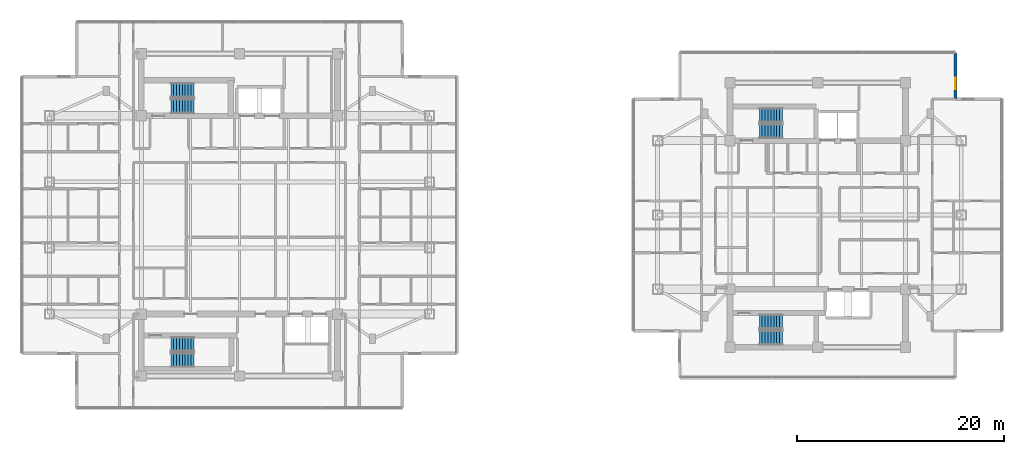
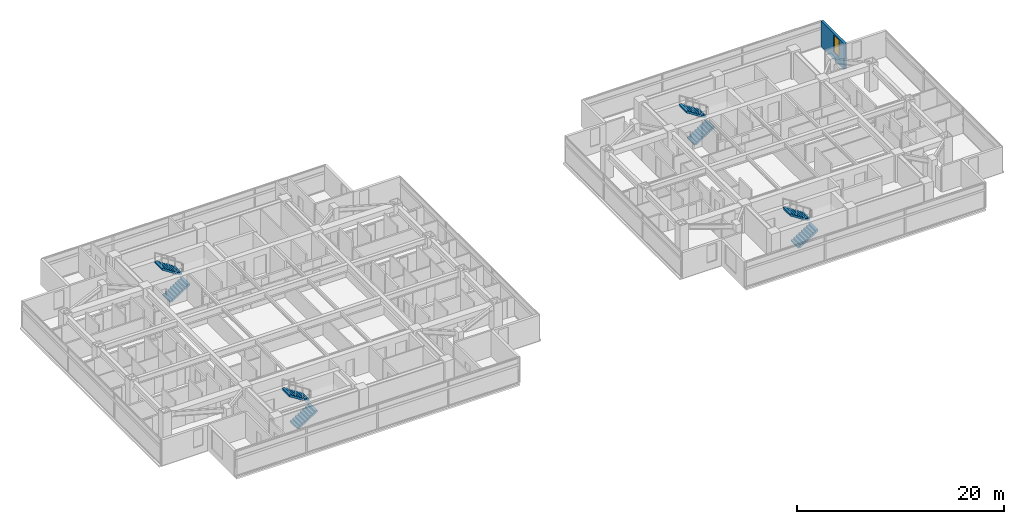
# One storey, part 20 of 26: 8 stair flights, 1 wall, 1 window, 1 opening, 4 elements without a shape of their own.
"""IFC4 building model written with IfcOpenShell, lengths in metres."""

from ifc_helpers import new_model, si_unit, direction, frame, frame_2d, origin, place, context, subcontext, project, spatial, polyline, rectangle, outline, extrude, material, layer, layer_set, type_object, element, fill, aggregate, save


model = new_model("IFC4")

# Units and contexts
model_context = context("Model", 3, precision=1e-05, world=origin(), true_north=direction((0.0, 1.0)))
body_context = subcontext(model_context, "Body", "Model", "MODEL_VIEW")
ifc_project = project(units=[si_unit("LENGTHUNIT", "METRE"), si_unit("AREAUNIT", "SQUARE_METRE"), si_unit("VOLUMEUNIT", "CUBIC_METRE"), si_unit("PLANEANGLEUNIT", "RADIAN"), si_unit("MASSUNIT", "GRAM", prefix="KILO")], contexts=[model_context])

# Site, building, storey
site_placement = place(None, origin())
site = spatial("IfcSite", under=ifc_project, at=site_placement, CompositionType="ELEMENT")
building_placement = place(site_placement, origin())
building = spatial("IfcBuilding", under=site, at=building_placement, Name="Mirazonda Arch Towers", CompositionType="ELEMENT")
storey_placement = place(building_placement, frame((0.0, 0.0, 170.64990234375)))
storey = spatial("IfcBuildingStorey", under=building, at=storey_placement, Name="L48", CompositionType="ELEMENT", Elevation=170.64990234375)

# Wall, opening, window
ifc_material_1 = material(Name="Precast Concrete C40/50", Category="concrete")
ifc_layer = layer(ifc_material_1, 0.280029296875, Name="WALL-EXT-WALL-280")
ifc_layer_set = layer_set([ifc_layer], Name="Precast Concrete C40/50")
wall_type = type_object("IfcWallType", Name="WALL-EXT-WALL-280", PredefinedType="SOLIDWALL", material=ifc_layer_set)
wall_placement = place(storey_placement, frame((89.857421875, 39.242919921875, 0.0), z_axis=(0.0, 0.0, 1.0), x_axis=(0.0, 1.0, 0.0)))
wall = element("IfcWall", 1, at=wall_placement, inside=storey, type_object=wall_type, Name="L48 T2 Notched NE Corner Wall WL-L48-T2-CNE", PredefinedType="SOLIDWALL", context=body_context, shape_type="SweptSolid", body=[
    extrude(rectangle(XDim=4.465087890625, YDim=0.280029296875, at=frame_2d((2.232421875, 0.0))), origin(), (0.0, 0.0, 1.0), 3.030029296875),
])
opening_placement = place(wall_placement, frame((0.949951171875, 0.0, 0.85009765625)))
opening = element("IfcOpeningElement", 2, at=opening_placement, cuts=wall, Name="Opening WN-108", PredefinedType="OPENING", context=body_context, shape_type="SweptSolid", body=[
    extrude(rectangle(XDim=1.10009765625, YDim=2.0, at=frame_2d((0.550048828125, 1.0))), frame((0.0, 0.14990234375, 0.0), z_axis=(0.0, -1.0, 0.0), x_axis=(1.0, 0.0, 0.0)), (0.0, 0.0, 1.0), 0.300048828125),
])
ifc_material_2 = material(Name="Insulated Low-E Solar Glass", Category="glass")
window_type = type_object("IfcWindowType", Name="WIN-NOTCH-1100x2000", PartitioningType="SINGLE_PANEL", PredefinedType="WINDOW", material=ifc_material_2)
window_placement = place(opening_placement, origin())
window = element("IfcWindow", 3, at=window_placement, inside=storey, type_object=window_type, Name="L48 Punched Facade Window WN-L48-T2-CNE", OverallHeight=2.0, OverallWidth=1.10009765625, PartitioningType="SINGLE_PANEL", PredefinedType="WINDOW", context=body_context, shape_type="SweptSolid", body=[
    extrude(rectangle(XDim=1.10009765625, YDim=2.0, at=frame_2d((0.550048828125, 1.0))), frame((0.0, 0.030029296875, 0.0), z_axis=(0.0, -1.0, 0.0), x_axis=(1.0, 0.0, 0.0)), (0.0, 0.0, 1.0), 0.06005859375),
])
fill(opening, window)

# Stair, stair flights
ifc_material_3 = material(Name="Concrete C40/50", Category="concrete")
stair_type = type_object("IfcStairType", Name="STAIR-CORE-1400", PredefinedType="HALF_TURN_STAIR", material=ifc_material_3)
stair_1_placement = place(storey_placement, origin())
stair_1 = element("IfcStair", 4, at=stair_1_placement, inside=storey, type_object=stair_type, Name="L48 Protected Exit Stair ST-T1N", PredefinedType="HALF_TURN_STAIR")
stair_flight_type = type_object("IfcStairFlightType", Name="FLIGHT-1400", PredefinedType="STRAIGHT", material=ifc_material_3)
stair_flight_1_placement = place(storey_placement, frame((13.85009765625, 38.52001953125, 0.0), z_axis=(0.0, 0.0, 1.0), x_axis=(1.0, 0.0, 0.0)))
stair_flight_1 = element("IfcStairFlight", 5, at=stair_flight_1_placement, type_object=stair_flight_type, Name="ST-T1N flight 1", NumberOfRisers=9, NumberOfTreads=8, PredefinedType="STRAIGHT", RiserHeight=0.180555556, TreadLength=0.28, context=body_context, shape_type="SweptSolid", body=[
    extrude(outline(polyline([(0.0, 0.0), (0.0, 0.1806640625), (0.280029296875, 0.1806640625), (0.280029296875, 0.361083984375), (0.56005859375, 0.361083984375), (0.56005859375, 0.541748046875), (0.840087890625, 0.541748046875), (0.840087890625, 0.72216796875), (1.1201171875, 0.72216796875), (1.1201171875, 0.90283203125), (1.39990234375, 0.90283203125), (1.39990234375, 1.083251953125), (1.679931640625, 1.083251953125), (1.679931640625, 1.263916015625), (1.9599609375, 1.263916015625), (1.9599609375, 1.4443359375), (2.239990234375, 1.4443359375), (2.239990234375, 1.625), (2.239990234375, 1.254150390625), (0.295166015625, 0.0), (0.0, 0.0)])), frame((0.0, 0.699951171875, 0.0), z_axis=(0.0, -1.0, 0.0), x_axis=(1.0, 0.0, 0.0)), (0.0, 0.0, 1.0), 1.39990234375),
])
stair_flight_2_placement = place(storey_placement, frame((16.090087890625, 40.06005859375, 1.625), z_axis=(0.0, 0.0, 1.0), x_axis=(-1.0, 0.0, 0.0)))
stair_flight_2 = element("IfcStairFlight", 6, at=stair_flight_2_placement, type_object=stair_flight_type, Name="ST-T1N flight 2", NumberOfRisers=9, NumberOfTreads=8, PredefinedType="STRAIGHT", RiserHeight=0.180555556, TreadLength=0.28, context=body_context, shape_type="SweptSolid", body=[
    extrude(outline(polyline([(0.0, 0.0), (0.0, 0.1806640625), (0.280029296875, 0.1806640625), (0.280029296875, 0.361083984375), (0.56005859375, 0.361083984375), (0.56005859375, 0.541748046875), (0.840087890625, 0.541748046875), (0.840087890625, 0.72216796875), (1.1201171875, 0.72216796875), (1.1201171875, 0.90283203125), (1.39990234375, 0.90283203125), (1.39990234375, 1.083251953125), (1.679931640625, 1.083251953125), (1.679931640625, 1.263916015625), (1.9599609375, 1.263916015625), (1.9599609375, 1.4443359375), (2.239990234375, 1.4443359375), (2.239990234375, 1.625), (2.239990234375, 1.254150390625), (0.295166015625, 0.0), (0.0, 0.0)])), frame((0.0, 0.699951171875, 0.0), z_axis=(0.0, -1.0, 0.0), x_axis=(1.0, 0.0, 0.0)), (0.0, 0.0, 1.0), 1.39990234375),
])
aggregate(stair_1, [stair_flight_1, stair_flight_2])

stair_2_placement = place(storey_placement, origin())
stair_2 = element("IfcStair", 7, at=stair_2_placement, inside=storey, type_object=stair_type, Name="L48 Protected Exit Stair ST-T1S", PredefinedType="HALF_TURN_STAIR")
stair_flight_3_placement = place(storey_placement, frame((13.85009765625, 13.949951171875, 0.0), z_axis=(0.0, 0.0, 1.0), x_axis=(1.0, 0.0, 0.0)))
stair_flight_3 = element("IfcStairFlight", 8, at=stair_flight_3_placement, type_object=stair_flight_type, Name="ST-T1S flight 1", NumberOfRisers=9, NumberOfTreads=8, PredefinedType="STRAIGHT", RiserHeight=0.180555556, TreadLength=0.28, context=body_context, shape_type="SweptSolid", body=[
    extrude(outline(polyline([(0.0, 0.0), (0.0, 0.1806640625), (0.280029296875, 0.1806640625), (0.280029296875, 0.361083984375), (0.56005859375, 0.361083984375), (0.56005859375, 0.541748046875), (0.840087890625, 0.541748046875), (0.840087890625, 0.72216796875), (1.1201171875, 0.72216796875), (1.1201171875, 0.90283203125), (1.39990234375, 0.90283203125), (1.39990234375, 1.083251953125), (1.679931640625, 1.083251953125), (1.679931640625, 1.263916015625), (1.9599609375, 1.263916015625), (1.9599609375, 1.4443359375), (2.239990234375, 1.4443359375), (2.239990234375, 1.625), (2.239990234375, 1.254150390625), (0.295166015625, 0.0), (0.0, 0.0)])), frame((0.0, 0.699951171875, 0.0), z_axis=(0.0, -1.0, 0.0), x_axis=(1.0, 0.0, 0.0)), (0.0, 0.0, 1.0), 1.39990234375),
])
stair_flight_4_placement = place(storey_placement, frame((16.090087890625, 15.489990234375, 1.625), z_axis=(0.0, 0.0, 1.0), x_axis=(-1.0, 0.0, 0.0)))
stair_flight_4 = element("IfcStairFlight", 9, at=stair_flight_4_placement, type_object=stair_flight_type, Name="ST-T1S flight 2", NumberOfRisers=9, NumberOfTreads=8, PredefinedType="STRAIGHT", RiserHeight=0.180555556, TreadLength=0.28, context=body_context, shape_type="SweptSolid", body=[
    extrude(outline(polyline([(0.0, 0.0), (0.0, 0.1806640625), (0.280029296875, 0.1806640625), (0.280029296875, 0.361083984375), (0.56005859375, 0.361083984375), (0.56005859375, 0.541748046875), (0.840087890625, 0.541748046875), (0.840087890625, 0.72216796875), (1.1201171875, 0.72216796875), (1.1201171875, 0.90283203125), (1.39990234375, 0.90283203125), (1.39990234375, 1.083251953125), (1.679931640625, 1.083251953125), (1.679931640625, 1.263916015625), (1.9599609375, 1.263916015625), (1.9599609375, 1.4443359375), (2.239990234375, 1.4443359375), (2.239990234375, 1.625), (2.239990234375, 1.254150390625), (0.295166015625, 0.0), (0.0, 0.0)])), frame((0.0, 0.699951171875, 0.0), z_axis=(0.0, -1.0, 0.0), x_axis=(1.0, 0.0, 0.0)), (0.0, 0.0, 1.0), 1.39990234375),
])
aggregate(stair_2, [stair_flight_3, stair_flight_4])

stair_3_placement = place(storey_placement, origin())
stair_3 = element("IfcStair", 10, at=stair_3_placement, inside=storey, type_object=stair_type, Name="L48 Protected Exit Stair ST-T2N", PredefinedType="HALF_TURN_STAIR")
stair_flight_5_placement = place(storey_placement, frame((70.85009765625, 36.1201171875, 0.0), z_axis=(0.0, 0.0, 1.0), x_axis=(1.0, 0.0, 0.0)))
stair_flight_5 = element("IfcStairFlight", 11, at=stair_flight_5_placement, type_object=stair_flight_type, Name="ST-T2N flight 1", NumberOfRisers=9, NumberOfTreads=8, PredefinedType="STRAIGHT", RiserHeight=0.180555556, TreadLength=0.28, context=body_context, shape_type="SweptSolid", body=[
    extrude(outline(polyline([(0.0, 0.0), (0.0, 0.1806640625), (0.280029296875, 0.1806640625), (0.280029296875, 0.361083984375), (0.56005859375, 0.361083984375), (0.56005859375, 0.541748046875), (0.840087890625, 0.541748046875), (0.840087890625, 0.72216796875), (1.1201171875, 0.72216796875), (1.1201171875, 0.90283203125), (1.39990234375, 0.90283203125), (1.39990234375, 1.083251953125), (1.679931640625, 1.083251953125), (1.679931640625, 1.263916015625), (1.9599609375, 1.263916015625), (1.9599609375, 1.4443359375), (2.239990234375, 1.4443359375), (2.239990234375, 1.625), (2.239990234375, 1.254150390625), (0.295166015625, 0.0), (0.0, 0.0)])), frame((0.0, 0.699951171875, 0.0), z_axis=(0.0, -1.0, 0.0), x_axis=(1.0, 0.0, 0.0)), (0.0, 0.0, 1.0), 1.39990234375),
])
stair_flight_6_placement = place(storey_placement, frame((73.090087890625, 37.659912109375, 1.625), z_axis=(0.0, 0.0, 1.0), x_axis=(-1.0, 0.0, 0.0)))
stair_flight_6 = element("IfcStairFlight", 12, at=stair_flight_6_placement, type_object=stair_flight_type, Name="ST-T2N flight 2", NumberOfRisers=9, NumberOfTreads=8, PredefinedType="STRAIGHT", RiserHeight=0.180555556, TreadLength=0.28, context=body_context, shape_type="SweptSolid", body=[
    extrude(outline(polyline([(0.0, 0.0), (0.0, 0.1806640625), (0.280029296875, 0.1806640625), (0.280029296875, 0.361083984375), (0.56005859375, 0.361083984375), (0.56005859375, 0.541748046875), (0.840087890625, 0.541748046875), (0.840087890625, 0.72216796875), (1.1201171875, 0.72216796875), (1.1201171875, 0.90283203125), (1.39990234375, 0.90283203125), (1.39990234375, 1.083251953125), (1.679931640625, 1.083251953125), (1.679931640625, 1.263916015625), (1.9599609375, 1.263916015625), (1.9599609375, 1.4443359375), (2.239990234375, 1.4443359375), (2.239990234375, 1.625), (2.239990234375, 1.254150390625), (0.295166015625, 0.0), (0.0, 0.0)])), frame((0.0, 0.699951171875, 0.0), z_axis=(0.0, -1.0, 0.0), x_axis=(1.0, 0.0, 0.0)), (0.0, 0.0, 1.0), 1.39990234375),
])
aggregate(stair_3, [stair_flight_5, stair_flight_6])

stair_4_placement = place(storey_placement, origin())
stair_4 = element("IfcStair", 13, at=stair_4_placement, inside=storey, type_object=stair_type, Name="L48 Protected Exit Stair ST-T2S", PredefinedType="HALF_TURN_STAIR")
stair_flight_7_placement = place(storey_placement, frame((70.85009765625, 16.1201171875, 0.0), z_axis=(0.0, 0.0, 1.0), x_axis=(1.0, 0.0, 0.0)))
stair_flight_7 = element("IfcStairFlight", 14, at=stair_flight_7_placement, type_object=stair_flight_type, Name="ST-T2S flight 1", NumberOfRisers=9, NumberOfTreads=8, PredefinedType="STRAIGHT", RiserHeight=0.180555556, TreadLength=0.28, context=body_context, shape_type="SweptSolid", body=[
    extrude(outline(polyline([(0.0, 0.0), (0.0, 0.1806640625), (0.280029296875, 0.1806640625), (0.280029296875, 0.361083984375), (0.56005859375, 0.361083984375), (0.56005859375, 0.541748046875), (0.840087890625, 0.541748046875), (0.840087890625, 0.72216796875), (1.1201171875, 0.72216796875), (1.1201171875, 0.90283203125), (1.39990234375, 0.90283203125), (1.39990234375, 1.083251953125), (1.679931640625, 1.083251953125), (1.679931640625, 1.263916015625), (1.9599609375, 1.263916015625), (1.9599609375, 1.4443359375), (2.239990234375, 1.4443359375), (2.239990234375, 1.625), (2.239990234375, 1.254150390625), (0.295166015625, 0.0), (0.0, 0.0)])), frame((0.0, 0.699951171875, 0.0), z_axis=(0.0, -1.0, 0.0), x_axis=(1.0, 0.0, 0.0)), (0.0, 0.0, 1.0), 1.39990234375),
])
stair_flight_8_placement = place(storey_placement, frame((73.090087890625, 17.659912109375, 1.625), z_axis=(0.0, 0.0, 1.0), x_axis=(-1.0, 0.0, 0.0)))
stair_flight_8 = element("IfcStairFlight", 15, at=stair_flight_8_placement, type_object=stair_flight_type, Name="ST-T2S flight 2", NumberOfRisers=9, NumberOfTreads=8, PredefinedType="STRAIGHT", RiserHeight=0.180555556, TreadLength=0.28, context=body_context, shape_type="SweptSolid", body=[
    extrude(outline(polyline([(0.0, 0.0), (0.0, 0.1806640625), (0.280029296875, 0.1806640625), (0.280029296875, 0.361083984375), (0.56005859375, 0.361083984375), (0.56005859375, 0.541748046875), (0.840087890625, 0.541748046875), (0.840087890625, 0.72216796875), (1.1201171875, 0.72216796875), (1.1201171875, 0.90283203125), (1.39990234375, 0.90283203125), (1.39990234375, 1.083251953125), (1.679931640625, 1.083251953125), (1.679931640625, 1.263916015625), (1.9599609375, 1.263916015625), (1.9599609375, 1.4443359375), (2.239990234375, 1.4443359375), (2.239990234375, 1.625), (2.239990234375, 1.254150390625), (0.295166015625, 0.0), (0.0, 0.0)])), frame((0.0, 0.699951171875, 0.0), z_axis=(0.0, -1.0, 0.0), x_axis=(1.0, 0.0, 0.0)), (0.0, 0.0, 1.0), 1.39990234375),
])
aggregate(stair_4, [stair_flight_7, stair_flight_8])

save(model, "model.ifc")
